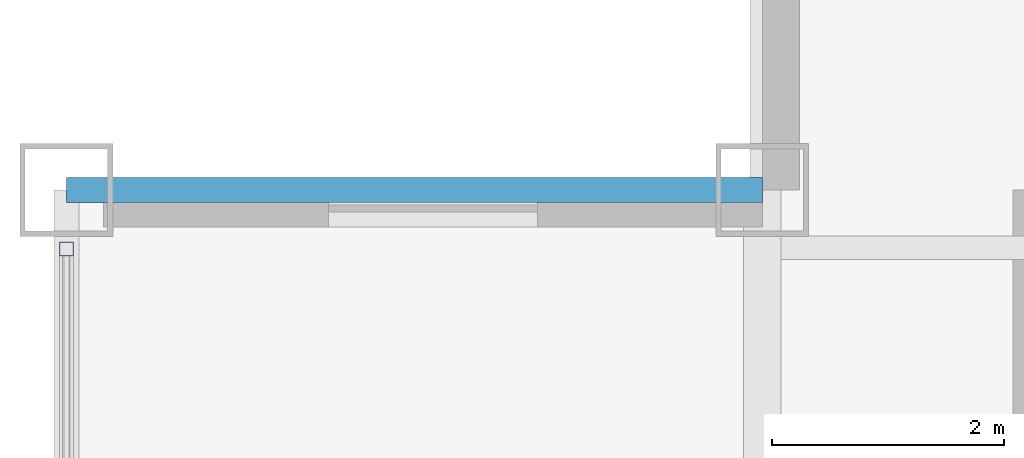
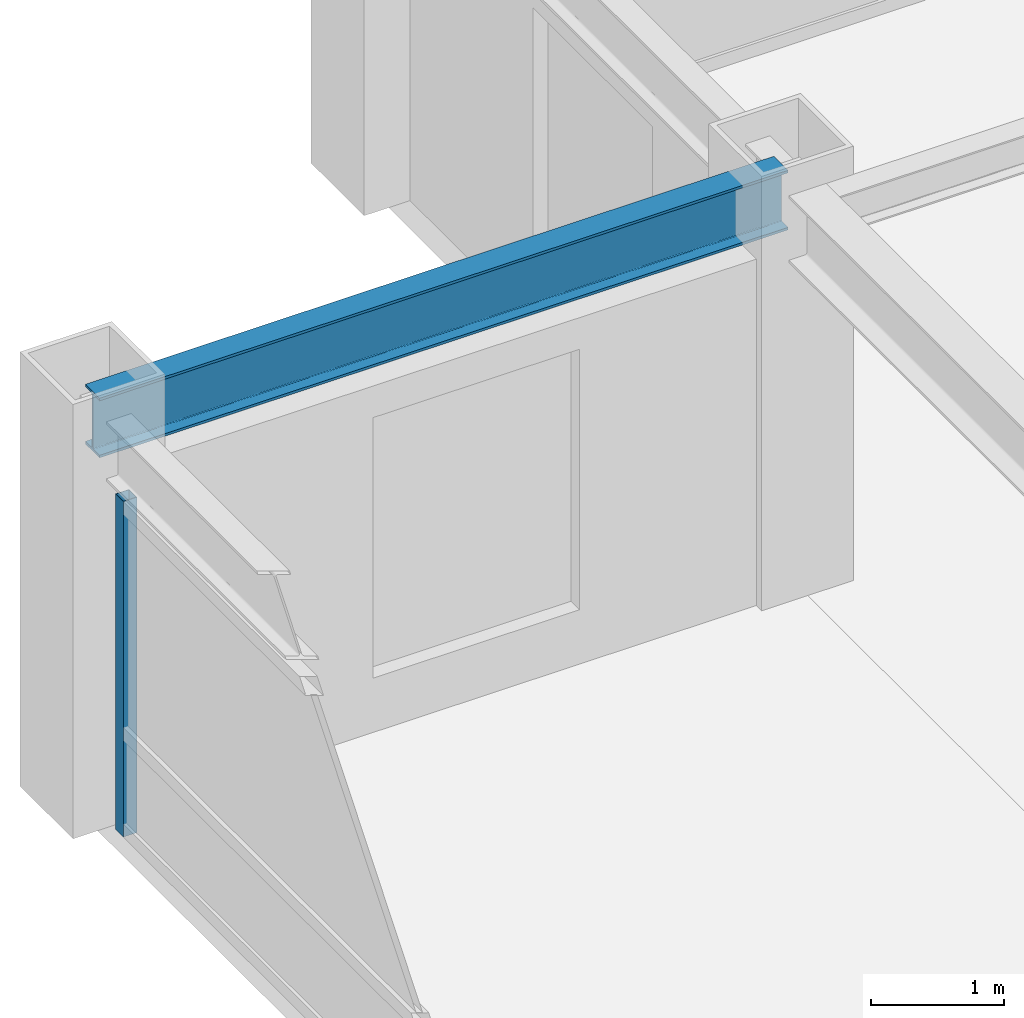
# One storey, part 17 of 29: 1 beam, 1 member, 1 element without a shape of its own.
"""IFC4 building model written with IfcOpenShell, lengths in metres."""

from ifc_helpers import new_model, si_unit, direction, frame, origin, origin_2d, place, context, subcontext, project, spatial, hollow_rectangle, i_section, extrude, source, transform, mapped, material, material_profile, profile_set, type_object, element, aggregate, save


model = new_model("IFC4")

# Units and contexts
model_context = context("Model", 3, precision=1e-05, world=origin(), true_north=direction((0.0, 1.0)))
body_context = subcontext(model_context, "Body", "Model", "MODEL_VIEW")
ifc_project = project(units=[si_unit("LENGTHUNIT", "METRE"), si_unit("AREAUNIT", "SQUARE_METRE"), si_unit("VOLUMEUNIT", "CUBIC_METRE"), si_unit("PLANEANGLEUNIT", "RADIAN"), si_unit("MASSUNIT", "GRAM", prefix="KILO")], contexts=[model_context])

# Site, building, storey
site_placement = place(None, origin())
site = spatial("IfcSite", under=ifc_project, at=site_placement, CompositionType="ELEMENT")
building_placement = place(site_placement, origin())
building = spatial("IfcBuilding", under=site, at=building_placement, Name="Khorayat Bourse Tower", CompositionType="ELEMENT")
storey_placement = place(building_placement, frame((0.0, 0.0, 346.300048828125)))
storey = spatial("IfcBuildingStorey", under=building, at=storey_placement, Name="L82", CompositionType="ELEMENT", Elevation=346.300048828125)

# Beam
ifc_material_1 = material(Name="Steel ASTM A992 Grade 50", Category="steel")
ifc_material_profile_1 = material_profile(ifc_material_1, i_section(OverallWidth=0.214111328125, OverallDepth=0.549072265625, WebThickness=0.0146484375, FlangeThickness=0.023681640625, FilletRadius=0.013916015625, at=origin_2d()), Name="W530X138")
ifc_profile_set_1 = profile_set([ifc_material_profile_1], Name="Steel ASTM A992 Grade 50")
beam_type = type_object("IfcBeamType", Name="BM-SPAN-530", PredefinedType="SPANDREL", material=ifc_profile_set_1)
shared_shape_1 = source(origin(), body_context, "Body", "SweptSolid", [
    extrude(i_section(OverallWidth=0.214111328125, OverallDepth=0.549072265625, WebThickness=0.0146484375, FlangeThickness=0.023681640625, FilletRadius=0.013916015625, at=origin_2d()), origin(), (0.0, 0.0, 1.0), 6.0),
])
beam_placement = place(storey_placement, frame((-26.0, 20.0, 3.46533203125), z_axis=(1.0, 0.0, 0.0), x_axis=(0.0, 1.0, 0.0)))
element("IfcBeam", 1, at=beam_placement, inside=storey, type_object=beam_type, Name="L82 BM-SPAN-530 BM-L82-SPN-044", PredefinedType="SPANDREL", context=body_context, shape_type="MappedRepresentation", body=[
    mapped(shared_shape_1, transform((0.0, 0.0, 0.0), scale=1.0)),
])

# Curtain wall, member
ifc_material_2 = material(Name="Aluminium EN AW-6063 T6", Category="aluminium")
curtain_wall_type = type_object("IfcCurtainWallType", Name="CW-SYS-06", PredefinedType="NOTDEFINED", material=ifc_material_2)
curtain_wall_placement = place(storey_placement, origin())
curtain_wall = element("IfcCurtainWall", 2, at=curtain_wall_placement, inside=storey, type_object=curtain_wall_type, Name="L82 Curtain Wall CW-L82-W1", PredefinedType="NOTDEFINED")
ifc_material_profile_2 = material_profile(ifc_material_2, hollow_rectangle(XDim=0.1201171875, YDim=0.1201171875, WallThickness=0.0048828125, at=origin_2d()), Name="ALU 120x120x5")
ifc_profile_set_2 = profile_set([ifc_material_profile_2], Name="Aluminium EN AW-6063 T6")
member_type = type_object("IfcMemberType", Name="CWM-VERT-120", PredefinedType="MULLION", material=ifc_profile_set_2)
shared_shape_2 = source(origin(), body_context, "Body", "SweptSolid", [
    extrude(hollow_rectangle(XDim=0.1201171875, YDim=0.1201171875, WallThickness=0.0048828125, at=origin_2d()), origin(), (0.0, 0.0, 1.0), 3.08984375),
])
member_placement = place(storey_placement, frame((-26.0, 19.489990234375, 0.0), z_axis=(0.0, 0.0, 1.0), x_axis=(1.0, 0.0, 0.0)))
member = element("IfcMember", 3, at=member_placement, type_object=member_type, Name="CW-L82-W1 Vertical Mullion 1", PredefinedType="MULLION", context=body_context, shape_type="MappedRepresentation", body=[
    mapped(shared_shape_2, transform((0.0, 0.0, 0.0), scale=1.0)),
])
aggregate(curtain_wall, [member])

save(model, "model.ifc")
